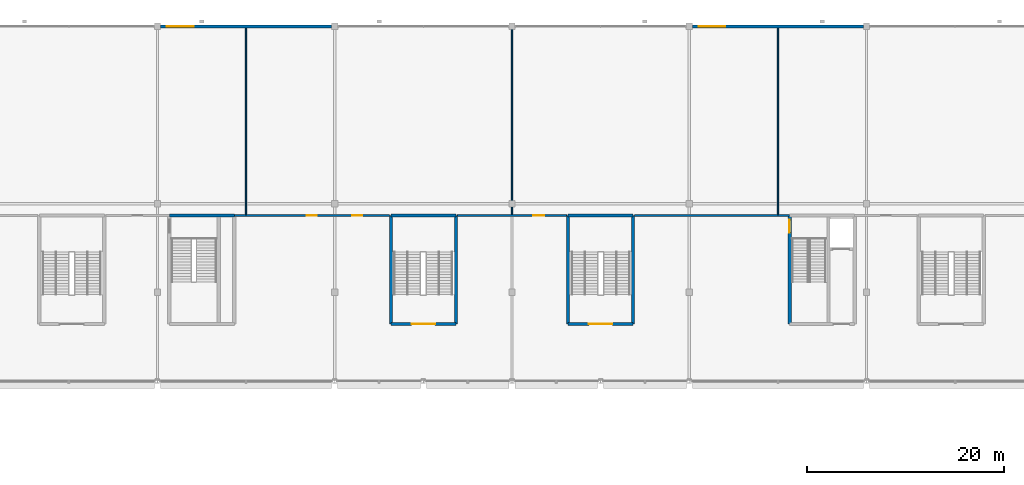
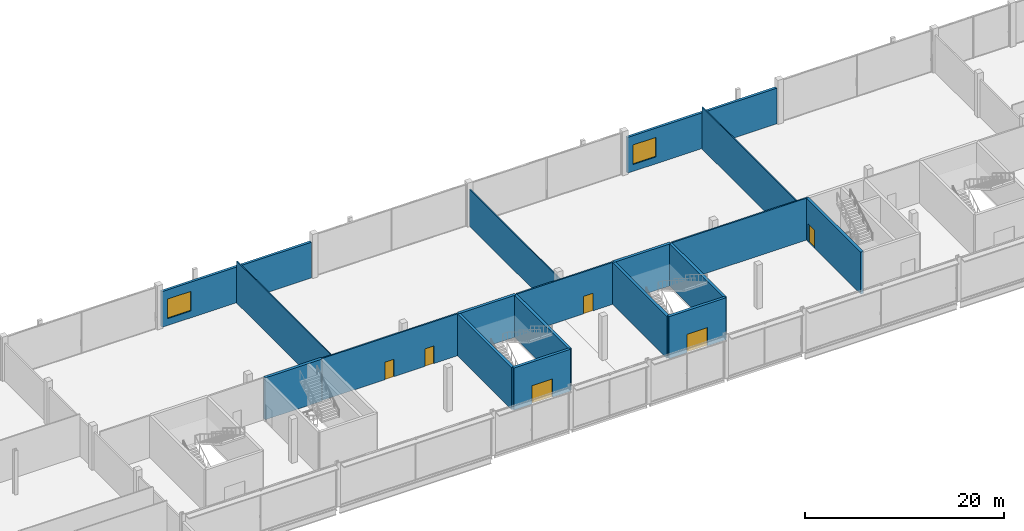
# One storey, part 63 of 111: 18 walls, 6 doors, 2 windows, 8 openings.
"""IFC4 building model written with IfcOpenShell, lengths in metres."""

from ifc_helpers import new_model, si_unit, direction, frame, frame_2d, origin, place, context, subcontext, project, spatial, rectangle, extrude, material, layer, layer_set, type_object, element, fill, save


model = new_model("IFC4")

# Units and contexts
model_context = context("Model", 3, precision=1e-05, world=origin(), true_north=direction((0.0, 1.0)))
body_context = subcontext(model_context, "Body", "Model", "MODEL_VIEW")
ifc_project = project(units=[si_unit("LENGTHUNIT", "METRE"), si_unit("AREAUNIT", "SQUARE_METRE"), si_unit("VOLUMEUNIT", "CUBIC_METRE"), si_unit("PLANEANGLEUNIT", "RADIAN"), si_unit("MASSUNIT", "GRAM", prefix="KILO")], contexts=[model_context])

# Site, building, storey
site_placement = place(None, origin())
site = spatial("IfcSite", under=ifc_project, at=site_placement, CompositionType="ELEMENT")
building_placement = place(site_placement, origin())
building = spatial("IfcBuilding", under=site, at=building_placement, Name="Kisiwana Market Hall", CompositionType="ELEMENT")
storey_placement = place(building_placement, frame((0.0, 0.0, 11.39990234375)))
storey = spatial("IfcBuildingStorey", under=building, at=storey_placement, Name="L02", CompositionType="ELEMENT", Elevation=11.39990234375)

# Wall
ifc_material_1 = material(Name="Concrete C40/50", Category="concrete")
ifc_layer_1 = layer(ifc_material_1, 0.320068359375, Name="Reinforced concrete shaft wall")
ifc_layer_set_1 = layer_set([ifc_layer_1], Name="WL-CORE-320")
wall_type_1 = type_object("IfcWallType", Name="WL-CORE-320", PredefinedType="SHEAR", material=ifc_layer_set_1)
wall_1_placement = place(storey_placement, frame((64.199951171875, 100.800048828125, 0.0), z_axis=(0.0, 0.0, 1.0), x_axis=(1.0, 0.0, 0.0)))
element("IfcWall", 1, at=wall_1_placement, inside=storey, type_object=wall_type_1, Name="Core N1 north wall W-0966", PredefinedType="SHEAR", context=body_context, shape_type="SweptSolid", body=[
    extrude(rectangle(XDim=6.60009765625, YDim=0.320068359375, at=frame_2d((3.300048828125, 0.0))), origin(), (0.0, 0.0, 1.0), 5.150146484375),
])

# Wall, opening, door
wall_2_placement = place(storey_placement, frame((127.199951171875, 89.800048828125, 0.0), z_axis=(0.0, 0.0, 1.0), x_axis=(0.0, 1.0, 0.0)))
wall_2 = element("IfcWall", 2, at=wall_2_placement, inside=storey, type_object=wall_type_1, Name="Core N2 west wall W-0972", PredefinedType="SHEAR", context=body_context, shape_type="SweptSolid", body=[
    extrude(rectangle(XDim=11.0, YDim=0.320068359375, at=frame_2d((5.5, 0.0))), origin(), (0.0, 0.0, 1.0), 5.150146484375),
])
opening_1_placement = place(wall_2_placement, frame((9.25, 0.0, 0.0)))
opening_1 = element("IfcOpeningElement", 3, at=opening_1_placement, cuts=wall_2, Name="Opening DR-L02-017", PredefinedType="OPENING", context=body_context, shape_type="SweptSolid", body=[
    extrude(rectangle(XDim=1.300048828125, YDim=2.199951171875, at=frame_2d((0.64990234375, 1.10009765625))), frame((0.0, 0.171875, 0.0), z_axis=(0.0, -1.0, 0.0), x_axis=(1.0, 0.0, 0.0)), (0.0, 0.0, 1.0), 0.343994140625),
])
ifc_material_2 = material(Name="Steel S275", Category="steel")
door_type_1 = type_object("IfcDoorType", Name="DR-STAIR-FD120-1300", OperationType="NOTDEFINED", PredefinedType="DOOR", material=ifc_material_2)
door_1_placement = place(opening_1_placement, origin())
door_1 = element("IfcDoor", 4, at=door_1_placement, inside=storey, type_object=door_type_1, Name="Podium Escape Stair N2 Fire Door (L02)", OperationType="SINGLE_SWING_RIGHT", OverallHeight=2.199951171875, OverallWidth=1.300048828125, PredefinedType="DOOR", context=body_context, shape_type="SweptSolid", body=[
    extrude(rectangle(XDim=1.300048828125, YDim=2.199951171875, at=frame_2d((0.64990234375, 1.10009765625))), frame((0.0, 0.02490234375, 0.0), z_axis=(0.0, -1.0, 0.0), x_axis=(1.0, 0.0, 0.0)), (0.0, 0.0, 1.0), 0.050048828125),
])
fill(opening_1, door_1)

wall_3_placement = place(storey_placement, frame((86.699951171875, 89.800048828125, 0.0), z_axis=(0.0, 0.0, 1.0), x_axis=(1.0, 0.0, 0.0)))
wall_3 = element("IfcWall", 5, at=wall_3_placement, inside=storey, type_object=wall_type_1, Name="Core N4 corridor shear wall W-1052", PredefinedType="SHEAR", context=body_context, shape_type="SweptSolid", body=[
    extrude(rectangle(XDim=6.60009765625, YDim=0.320068359375, at=frame_2d((3.300048828125, 0.0))), origin(), (0.0, 0.0, 1.0), 5.150146484375),
])
opening_2_placement = place(wall_3_placement, frame((2.10009765625, 0.0, 0.0)))
opening_2 = element("IfcOpeningElement", 6, at=opening_2_placement, cuts=wall_3, Name="Opening DR-L02-038", PredefinedType="OPENING", context=body_context, shape_type="SweptSolid", body=[
    extrude(rectangle(XDim=2.39990234375, YDim=2.25, at=frame_2d((1.199951171875, 1.125))), frame((0.0, 0.171875, 0.0), z_axis=(0.0, -1.0, 0.0), x_axis=(1.0, 0.0, 0.0)), (0.0, 0.0, 1.0), 0.343994140625),
])
ifc_material_3 = material(Name="Steel S275", Category="steel")
door_type_2 = type_object("IfcDoorType", Name="DR-STAIR-FD120-2400", OperationType="DOUBLE_DOOR_SINGLE_SWING", PredefinedType="DOOR", material=ifc_material_3)
door_2_placement = place(opening_2_placement, origin())
door_2 = element("IfcDoor", 7, at=door_2_placement, inside=storey, type_object=door_type_2, Name="Escape Stair N4 Fire Door (L02)", OperationType="DOUBLE_DOOR_SINGLE_SWING", OverallHeight=2.25, OverallWidth=2.39990234375, PredefinedType="DOOR", context=body_context, shape_type="SweptSolid", body=[
    extrude(rectangle(XDim=2.39990234375, YDim=2.25, at=frame_2d((1.199951171875, 1.125))), frame((0.0, 0.02490234375, 0.0), z_axis=(0.0, -1.0, 0.0), x_axis=(1.0, 0.0, 0.0)), (0.0, 0.0, 1.0), 0.050048828125),
])
fill(opening_2, door_2)

# Walls
wall_4_placement = place(storey_placement, frame((86.699951171875, 100.800048828125, 0.0), z_axis=(0.0, 0.0, 1.0), x_axis=(1.0, 0.0, 0.0)))
element("IfcWall", 8, at=wall_4_placement, inside=storey, type_object=wall_type_1, Name="Core N4 outer shear wall W-1053", PredefinedType="SHEAR", context=body_context, shape_type="SweptSolid", body=[
    extrude(rectangle(XDim=6.60009765625, YDim=0.320068359375, at=frame_2d((3.300048828125, 0.0))), origin(), (0.0, 0.0, 1.0), 5.150146484375),
])
for number, where, z_axis, x_axis, name in (
    (9, (86.699951171875, 89.800048828125, 0.0), (0.0, 0.0, 1.0), (0.0, 1.0, 0.0), "Core N4 west shear wall W-1054"),
    (10, (93.300048828125, 89.800048828125, 0.0), (0.0, 0.0, 1.0), (0.0, 1.0, 0.0), "Core N4 east shear wall W-1055"),
):
    element("IfcWall", number, at=place(storey_placement, frame(where, z_axis=z_axis, x_axis=x_axis)), inside=storey, type_object=wall_type_1, Name=name, PredefinedType="SHEAR", context=body_context, shape_type="SweptSolid", body=[
        extrude(rectangle(XDim=11.0, YDim=0.320068359375, at=frame_2d((5.5, 0.0))), origin(), (0.0, 0.0, 1.0), 5.150146484375),
    ])

# Wall, opening, door
wall_5_placement = place(storey_placement, frame((104.699951171875, 89.800048828125, 0.0), z_axis=(0.0, 0.0, 1.0), x_axis=(1.0, 0.0, 0.0)))
wall_5 = element("IfcWall", 11, at=wall_5_placement, inside=storey, type_object=wall_type_1, Name="Core N5 corridor shear wall W-1060", PredefinedType="SHEAR", context=body_context, shape_type="SweptSolid", body=[
    extrude(rectangle(XDim=6.60009765625, YDim=0.320068359375, at=frame_2d((3.300048828125, 0.0))), origin(), (0.0, 0.0, 1.0), 5.150146484375),
])
opening_3_placement = place(wall_5_placement, frame((2.10009765625, 0.0, 0.0)))
opening_3 = element("IfcOpeningElement", 12, at=opening_3_placement, cuts=wall_5, Name="Opening DR-L02-040", PredefinedType="OPENING", context=body_context, shape_type="SweptSolid", body=[
    extrude(rectangle(XDim=2.39990234375, YDim=2.25, at=frame_2d((1.199951171875, 1.125))), frame((0.0, 0.171875, 0.0), z_axis=(0.0, -1.0, 0.0), x_axis=(1.0, 0.0, 0.0)), (0.0, 0.0, 1.0), 0.343994140625),
])
door_3_placement = place(opening_3_placement, origin())
door_3 = element("IfcDoor", 13, at=door_3_placement, inside=storey, type_object=door_type_2, Name="Escape Stair N5 Fire Door (L02)", OperationType="DOUBLE_DOOR_SINGLE_SWING", OverallHeight=2.25, OverallWidth=2.39990234375, PredefinedType="DOOR", context=body_context, shape_type="SweptSolid", body=[
    extrude(rectangle(XDim=2.39990234375, YDim=2.25, at=frame_2d((1.199951171875, 1.125))), frame((0.0, 0.02490234375, 0.0), z_axis=(0.0, -1.0, 0.0), x_axis=(1.0, 0.0, 0.0)), (0.0, 0.0, 1.0), 0.050048828125),
])
fill(opening_3, door_3)

# Walls
wall_6_placement = place(storey_placement, frame((104.699951171875, 100.800048828125, 0.0), z_axis=(0.0, 0.0, 1.0), x_axis=(1.0, 0.0, 0.0)))
element("IfcWall", 14, at=wall_6_placement, inside=storey, type_object=wall_type_1, Name="Core N5 outer shear wall W-1061", PredefinedType="SHEAR", context=body_context, shape_type="SweptSolid", body=[
    extrude(rectangle(XDim=6.60009765625, YDim=0.320068359375, at=frame_2d((3.300048828125, 0.0))), origin(), (0.0, 0.0, 1.0), 5.150146484375),
])
for number, where, z_axis, x_axis, name in (
    (15, (104.699951171875, 89.800048828125, 0.0), (0.0, 0.0, 1.0), (0.0, 1.0, 0.0), "Core N5 west shear wall W-1062"),
    (16, (111.300048828125, 89.800048828125, 0.0), (0.0, 0.0, 1.0), (0.0, 1.0, 0.0), "Core N5 east shear wall W-1063"),
):
    element("IfcWall", number, at=place(storey_placement, frame(where, z_axis=z_axis, x_axis=x_axis)), inside=storey, type_object=wall_type_1, Name=name, PredefinedType="SHEAR", context=body_context, shape_type="SweptSolid", body=[
        extrude(rectangle(XDim=11.0, YDim=0.320068359375, at=frame_2d((5.5, 0.0))), origin(), (0.0, 0.0, 1.0), 5.150146484375),
    ])

# Wall, openings, doors
ifc_material_4 = material(Name="Masonry blockwork", Category="masonry")
ifc_layer_2 = layer(ifc_material_4, 0.169921875, Name="Protected corridor partition")
ifc_layer_set_2 = layer_set([ifc_layer_2], Name="WL-CORR-170")
wall_type_2 = type_object("IfcWallType", Name="WL-CORR-170", PredefinedType="PARTITIONING", material=ifc_layer_set_2)
wall_7_placement = place(storey_placement, frame((70.800048828125, 100.800048828125, 0.0), z_axis=(0.0, 0.0, 1.0), x_axis=(1.0, 0.0, 0.0)))
wall_7 = element("IfcWall", 17, at=wall_7_placement, inside=storey, type_object=wall_type_2, Name="Interior partition W-1179", PredefinedType="PARTITIONING", context=body_context, shape_type="SweptSolid", body=[
    extrude(rectangle(XDim=15.739990234375, YDim=0.169921875, at=frame_2d((7.8701171875, 0.0))), origin(), (0.0, 0.0, 1.0), 5.150146484375),
])
opening_4_placement = place(wall_7_placement, frame((12.0, 0.0, 0.0)))
opening_4 = element("IfcOpeningElement", 18, at=opening_4_placement, cuts=wall_7, Name="Opening DR-L02-093", PredefinedType="OPENING", context=body_context, shape_type="SweptSolid", body=[
    extrude(rectangle(XDim=1.0, YDim=2.14990234375, at=frame_2d((0.5, 1.074951171875))), frame((0.0, 0.096923828125, 0.0), z_axis=(0.0, -1.0, 0.0), x_axis=(1.0, 0.0, 0.0)), (0.0, 0.0, 1.0), 0.19384765625),
])
opening_5_placement = place(wall_7_placement, frame((7.3701171875, 0.0, 0.0)))
opening_5 = element("IfcOpeningElement", 19, at=opening_5_placement, cuts=wall_7, Name="Opening DR-L02-094", PredefinedType="OPENING", context=body_context, shape_type="SweptSolid", body=[
    extrude(rectangle(XDim=1.0, YDim=2.14990234375, at=frame_2d((0.5, 1.074951171875))), frame((0.0, 0.096923828125, 0.0), z_axis=(0.0, -1.0, 0.0), x_axis=(1.0, 0.0, 0.0)), (0.0, 0.0, 1.0), 0.19384765625),
])
ifc_material_5 = material(Name="Aluminium alloy 6063-T6", Category="aluminium")
door_type_3 = type_object("IfcDoorType", Name="DR-OFF-1000", OperationType="NOTDEFINED", PredefinedType="DOOR", material=ifc_material_5)
door_4_placement = place(opening_4_placement, origin())
door_4 = element("IfcDoor", 20, at=door_4_placement, inside=storey, type_object=door_type_3, Name="L02 Studio N2 Door", OperationType="SINGLE_SWING_RIGHT", OverallHeight=2.14990234375, OverallWidth=1.0, PredefinedType="DOOR", context=body_context, shape_type="SweptSolid", body=[
    extrude(rectangle(XDim=1.0, YDim=2.14990234375, at=frame_2d((0.5, 1.074951171875))), frame((0.0, 0.02490234375, 0.0), z_axis=(0.0, -1.0, 0.0), x_axis=(1.0, 0.0, 0.0)), (0.0, 0.0, 1.0), 0.050048828125),
])
fill(opening_4, door_4)
door_5_placement = place(opening_5_placement, origin())
door_5 = element("IfcDoor", 21, at=door_5_placement, inside=storey, type_object=door_type_3, Name="L02 Studio N3 Door", OperationType="SINGLE_SWING_RIGHT", OverallHeight=2.14990234375, OverallWidth=1.0, PredefinedType="DOOR", context=body_context, shape_type="SweptSolid", body=[
    extrude(rectangle(XDim=1.0, YDim=2.14990234375, at=frame_2d((0.5, 1.074951171875))), frame((0.0, 0.02490234375, 0.0), z_axis=(0.0, -1.0, 0.0), x_axis=(1.0, 0.0, 0.0)), (0.0, 0.0, 1.0), 0.050048828125),
])
fill(opening_5, door_5)

# Wall, opening, door
wall_8_placement = place(storey_placement, frame((93.4599609375, 100.800048828125, 0.0), z_axis=(0.0, 0.0, 1.0), x_axis=(1.0, 0.0, 0.0)))
wall_8 = element("IfcWall", 22, at=wall_8_placement, inside=storey, type_object=wall_type_2, Name="Interior partition W-1180", PredefinedType="PARTITIONING", context=body_context, shape_type="SweptSolid", body=[
    extrude(rectangle(XDim=11.080078125, YDim=0.169921875, at=frame_2d((5.5400390625, 0.0))), origin(), (0.0, 0.0, 1.0), 5.150146484375),
])
opening_6_placement = place(wall_8_placement, frame((7.68994140625, 0.0, 0.0)))
opening_6 = element("IfcOpeningElement", 23, at=opening_6_placement, cuts=wall_8, Name="Opening DR-L02-095", PredefinedType="OPENING", context=body_context, shape_type="SweptSolid", body=[
    extrude(rectangle(XDim=1.14990234375, YDim=2.14990234375, at=frame_2d((0.574951171875, 1.074951171875))), frame((0.0, 0.096923828125, 0.0), z_axis=(0.0, -1.0, 0.0), x_axis=(1.0, 0.0, 0.0)), (0.0, 0.0, 1.0), 0.19384765625),
])
ifc_material_6 = material(Name="Aluminium alloy 6063-T6", Category="aluminium")
door_type_4 = type_object("IfcDoorType", Name="DR-MEET-1150", OperationType="NOTDEFINED", PredefinedType="DOOR", material=ifc_material_6)
door_6_placement = place(opening_6_placement, origin())
door_6 = element("IfcDoor", 24, at=door_6_placement, inside=storey, type_object=door_type_4, Name="L02 E Co-Working Studio N3 Door", OperationType="SINGLE_SWING_RIGHT", OverallHeight=2.14990234375, OverallWidth=1.14990234375, PredefinedType="DOOR", context=body_context, shape_type="SweptSolid", body=[
    extrude(rectangle(XDim=1.14990234375, YDim=2.14990234375, at=frame_2d((0.574951171875, 1.074951171875))), frame((0.0, 0.02490234375, 0.0), z_axis=(0.0, -1.0, 0.0), x_axis=(1.0, 0.0, 0.0)), (0.0, 0.0, 1.0), 0.050048828125),
])
fill(opening_6, door_6)

# Wall
wall_9_placement = place(storey_placement, frame((111.4599609375, 100.800048828125, 0.0), z_axis=(0.0, 0.0, 1.0), x_axis=(1.0, 0.0, 0.0)))
element("IfcWall", 25, at=wall_9_placement, inside=storey, type_object=wall_type_2, Name="Interior partition W-1181", PredefinedType="PARTITIONING", context=body_context, shape_type="SweptSolid", body=[
    extrude(rectangle(XDim=15.739990234375, YDim=0.169921875, at=frame_2d((7.8701171875, 0.0))), origin(), (0.0, 0.0, 1.0), 5.150146484375),
])

# Wall, opening, window
ifc_material_7 = material(Name="Masonry blockwork", Category="masonry")
ifc_layer_3 = layer(ifc_material_7, 0.139892578125, Name="Rendered masonry outer leaf")
ifc_material_8 = material(Name="Mineral wool insulation")
ifc_layer_4 = layer(ifc_material_8, 0.074951171875, Name="Mineral wool cavity insulation")
ifc_material_9 = material(Name="Gypsum plasterboard")
ifc_layer_5 = layer(ifc_material_9, 0.074951171875, Name="Calcium silicate inner lining")
ifc_layer_set_3 = layer_set([ifc_layer_3, ifc_layer_4, ifc_layer_5], Name="WL-EXT-MAS-290")
wall_type_3 = type_object("IfcWallType", Name="WL-EXT-MAS-290", PredefinedType="STANDARD", material=ifc_layer_set_3)
wall_10_placement = place(storey_placement, frame((63.31689453125, 120.0, 0.0), z_axis=(0.0, 0.0, 1.0), x_axis=(1.0, 0.0, 0.0)))
wall_10 = element("IfcWall", 26, at=wall_10_placement, inside=storey, type_object=wall_type_3, Name="Exterior wall W-1077", PredefinedType="STANDARD", context=body_context, shape_type="SweptSolid", body=[
    extrude(rectangle(XDim=17.3662109375, YDim=0.2900390625, at=frame_2d((8.68310546875, 0.0))), origin(), (0.0, 0.0, 1.0), 4.3798828125),
])
opening_7_placement = place(wall_10_placement, frame((0.64990234375, 0.0, 0.85009765625)))
opening_7 = element("IfcOpeningElement", 27, at=opening_7_placement, cuts=wall_10, Name="Opening WN-10", PredefinedType="OPENING", context=body_context, shape_type="SweptSolid", body=[
    extrude(rectangle(XDim=2.699951171875, YDim=2.39990234375, at=frame_2d((1.35009765625, 1.199951171875))), frame((0.0, 0.156982421875, 0.0), z_axis=(0.0, -1.0, 0.0), x_axis=(1.0, 0.0, 0.0)), (0.0, 0.0, 1.0), 0.31396484375),
])
ifc_material_10 = material(Name="Double-glazed solar-control low-E IGU", Category="glass")
window_type = type_object("IfcWindowType", Name="WN-GLD-2700x2400", PartitioningType="SINGLE_PANEL", PredefinedType="WINDOW", material=ifc_material_10)
window_1_placement = place(opening_7_placement, origin())
window_1 = element("IfcWindow", 28, at=window_1_placement, inside=storey, type_object=window_type, Name="Exterior window WN-034", OverallHeight=2.39990234375, OverallWidth=2.699951171875, PartitioningType="SINGLE_PANEL", PredefinedType="WINDOW", context=body_context, shape_type="SweptSolid", body=[
    extrude(rectangle(XDim=2.699951171875, YDim=2.39990234375, at=frame_2d((1.35009765625, 1.199951171875))), frame((0.0, 0.030029296875, 0.0), z_axis=(0.0, -1.0, 0.0), x_axis=(1.0, 0.0, 0.0)), (0.0, 0.0, 1.0), 0.06005859375),
])
fill(opening_7, window_1)

wall_11_placement = place(storey_placement, frame((117.31689453125, 120.0, 0.0), z_axis=(0.0, 0.0, 1.0), x_axis=(1.0, 0.0, 0.0)))
wall_11 = element("IfcWall", 29, at=wall_11_placement, inside=storey, type_object=wall_type_3, Name="Exterior wall W-1078", PredefinedType="STANDARD", context=body_context, shape_type="SweptSolid", body=[
    extrude(rectangle(XDim=17.3662109375, YDim=0.2900390625, at=frame_2d((8.68310546875, 0.0))), origin(), (0.0, 0.0, 1.0), 4.3798828125),
])
opening_8_placement = place(wall_11_placement, frame((0.64990234375, 0.0, 0.85009765625)))
opening_8 = element("IfcOpeningElement", 30, at=opening_8_placement, cuts=wall_11, Name="Opening WN-10", PredefinedType="OPENING", context=body_context, shape_type="SweptSolid", body=[
    extrude(rectangle(XDim=2.699951171875, YDim=2.39990234375, at=frame_2d((1.35009765625, 1.199951171875))), frame((0.0, 0.156982421875, 0.0), z_axis=(0.0, -1.0, 0.0), x_axis=(1.0, 0.0, 0.0)), (0.0, 0.0, 1.0), 0.31396484375),
])
window_2_placement = place(opening_8_placement, origin())
window_2 = element("IfcWindow", 31, at=window_2_placement, inside=storey, type_object=window_type, Name="Exterior window WN-035", OverallHeight=2.39990234375, OverallWidth=2.699951171875, PartitioningType="SINGLE_PANEL", PredefinedType="WINDOW", context=body_context, shape_type="SweptSolid", body=[
    extrude(rectangle(XDim=2.699951171875, YDim=2.39990234375, at=frame_2d((1.35009765625, 1.199951171875))), frame((0.0, 0.030029296875, 0.0), z_axis=(0.0, -1.0, 0.0), x_axis=(1.0, 0.0, 0.0)), (0.0, 0.0, 1.0), 0.06005859375),
])
fill(opening_8, window_2)

# Walls
ifc_material_11 = material(Name="Gypsum plasterboard")
ifc_layer_6 = layer(ifc_material_11, 0.125, Name="Double gypsum board + acoustic stud")
ifc_layer_set_4 = layer_set([ifc_layer_6], Name="WL-OFF-125")
wall_type_4 = type_object("IfcWallType", Name="WL-OFF-125", PredefinedType="PARTITIONING", material=ifc_layer_set_4)
wall_12_placement = place(storey_placement, frame((72.0, 100.885009765625, 0.0), z_axis=(0.0, 0.0, 1.0), x_axis=(0.0, 1.0, 0.0)))
element("IfcWall", 32, at=wall_12_placement, inside=storey, type_object=wall_type_4, Name="Interior partition W-1165", PredefinedType="PARTITIONING", context=body_context, shape_type="SweptSolid", body=[
    extrude(rectangle(XDim=18.932373046875, YDim=0.125, at=frame_2d((9.46630859375, 0.0))), origin(), (0.0, 0.0, 1.0), 5.150146484375),
])
wall_13_placement = place(storey_placement, frame((99.0, 100.885009765625, 0.0), z_axis=(0.0, 0.0, 1.0), x_axis=(0.0, 1.0, 0.0)))
element("IfcWall", 33, at=wall_13_placement, inside=storey, type_object=wall_type_4, Name="Interior partition W-1167", PredefinedType="PARTITIONING", context=body_context, shape_type="SweptSolid", body=[
    extrude(rectangle(XDim=18.932373046875, YDim=0.125, at=frame_2d((9.46630859375, 0.0))), origin(), (0.0, 0.0, 1.0), 4.52978515625),
])
wall_14_placement = place(storey_placement, frame((126.0, 100.885009765625, 0.0), z_axis=(0.0, 0.0, 1.0), x_axis=(0.0, 1.0, 0.0)))
element("IfcWall", 34, at=wall_14_placement, inside=storey, type_object=wall_type_4, Name="Interior partition W-1169", PredefinedType="PARTITIONING", context=body_context, shape_type="SweptSolid", body=[
    extrude(rectangle(XDim=18.932373046875, YDim=0.125, at=frame_2d((9.46630859375, 0.0))), origin(), (0.0, 0.0, 1.0), 5.150146484375),
])

save(model, "model.ifc")
